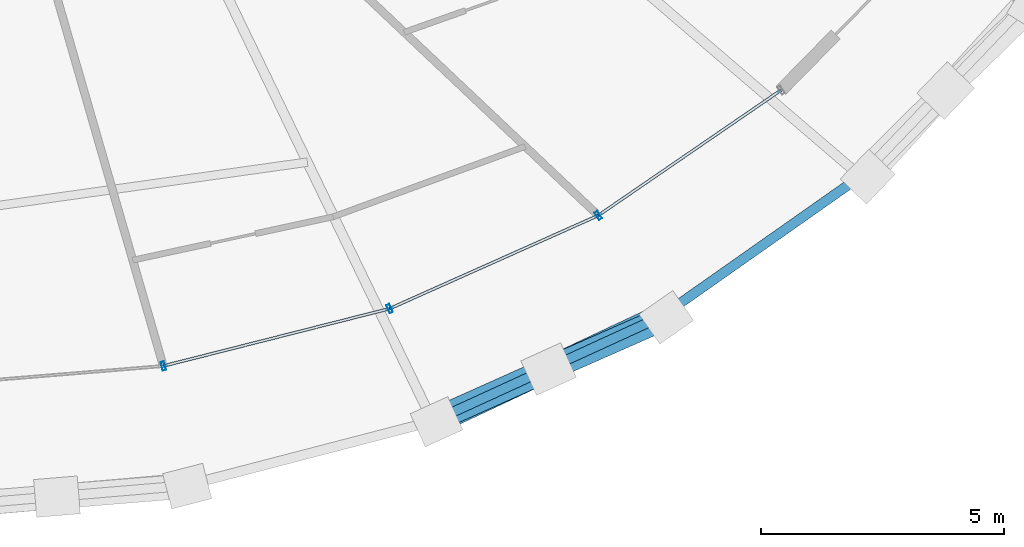
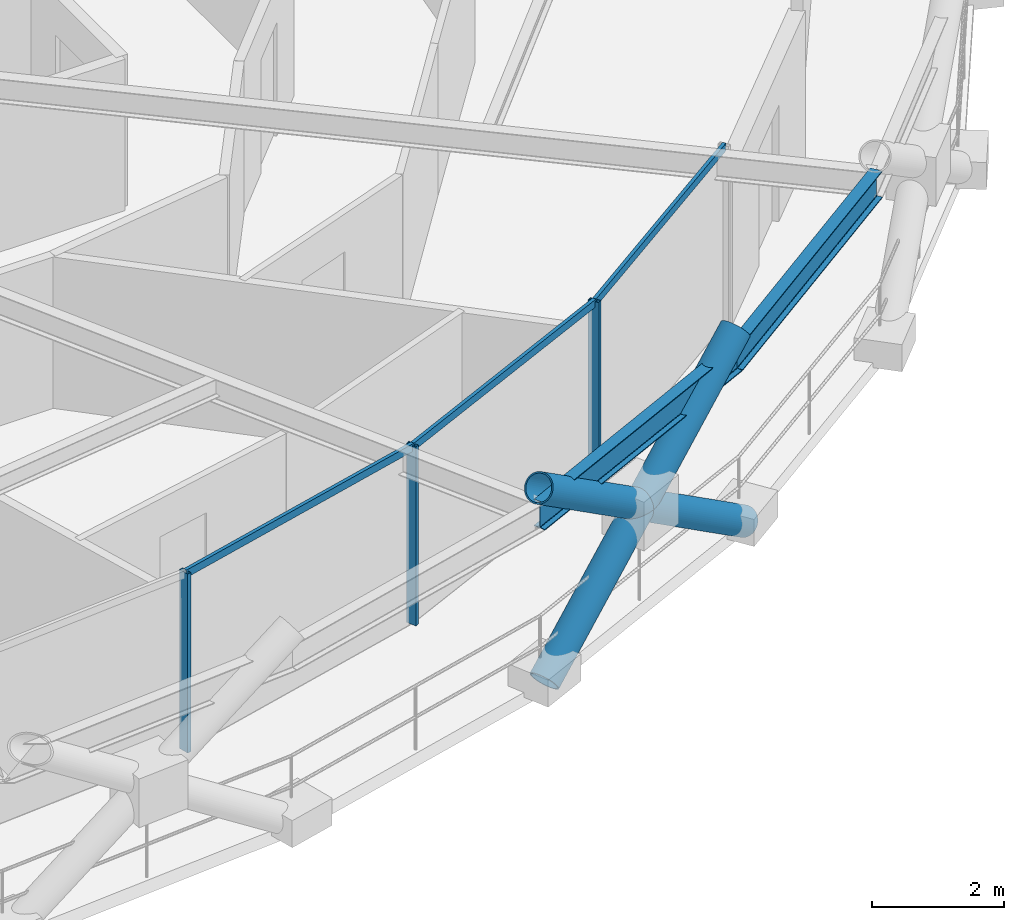
# One storey, part 4 of 16: 9 members, 2 beams, 1 element without a shape of its own.
"""IFC4 building model written with IfcOpenShell, lengths in metres."""

from ifc_helpers import new_model, si_unit, direction, frame, origin, origin_2d, place, context, subcontext, project, spatial, hollow_rectangle, hollow_circle, i_section, extrude, material, layer, layer_set, material_profile, profile_set, type_object, element, aggregate, save


model = new_model("IFC4")

# Units and contexts
model_context = context("Model", 3, precision=1e-05, world=origin(), true_north=direction((0.0, 1.0)))
body_context = subcontext(model_context, "Body", "Model", "MODEL_VIEW")
ifc_project = project(units=[si_unit("LENGTHUNIT", "METRE"), si_unit("AREAUNIT", "SQUARE_METRE"), si_unit("VOLUMEUNIT", "CUBIC_METRE"), si_unit("PLANEANGLEUNIT", "RADIAN"), si_unit("MASSUNIT", "GRAM", prefix="KILO")], contexts=[model_context])

# Site, building, storey
site_placement = place(None, origin())
site = spatial("IfcSite", under=ifc_project, at=site_placement, CompositionType="ELEMENT")
building_placement = place(site_placement, origin())
building = spatial("IfcBuilding", under=site, at=building_placement, Name="Veldorina Hangang Commons", CompositionType="ELEMENT")
storey_placement = place(building_placement, frame((0.0, 0.0, 185.60009765625)))
storey = spatial("IfcBuildingStorey", under=building, at=storey_placement, Name="L48", CompositionType="ELEMENT", Elevation=185.60009765625)

# Beams
ifc_material_1 = material(Name="Steel SM420-TMC", Category="steel")
ifc_material_profile_1 = material_profile(ifc_material_1, i_section(OverallWidth=0.199951171875, OverallDepth=0.5, WebThickness=0.010009765625, FlangeThickness=0.01611328125, FilletRadius=0.01611328125, at=origin_2d()), Name="H-500x200x10x16")
ifc_profile_set_1 = profile_set([ifc_material_profile_1], Name="Steel SM420-TMC")
beam_type = type_object("IfcBeamType", Name="BM-RB500", PredefinedType="BEAM", material=ifc_profile_set_1)
beam_1_placement = place(storey_placement, frame((42.385009765625, 2.516845703125, 3.099853515625), z_axis=(0.90916857944, 0.416428258117, 0.0), x_axis=(-0.416428258117, 0.90916857944, 0.0)))
element("IfcBeam", 1, at=beam_1_placement, inside=storey, type_object=beam_type, Name="L48 perimeter hoop ring beam 26", PredefinedType="BEAM", context=body_context, shape_type="SweptSolid", body=[
    extrude(i_section(OverallWidth=0.199951171875, OverallDepth=0.5, WebThickness=0.010009765625, FlangeThickness=0.01611328125, FilletRadius=0.01611328125, at=origin_2d()), origin(), (0.0, 0.0, 1.0), 5.160400390625),
])
beam_2_placement = place(storey_placement, frame((47.07666015625, 4.665771484375, 3.099853515625), z_axis=(0.817993454631, 0.575227527315, 0.0), x_axis=(-0.575227527315, 0.817993454631, 0.0)))
element("IfcBeam", 2, at=beam_2_placement, inside=storey, type_object=beam_type, Name="L48 perimeter hoop ring beam 27", PredefinedType="BEAM", context=body_context, shape_type="SweptSolid", body=[
    extrude(i_section(OverallWidth=0.199951171875, OverallDepth=0.5, WebThickness=0.010009765625, FlangeThickness=0.01611328125, FilletRadius=0.01611328125, at=origin_2d()), origin(), (0.0, 0.0, 1.0), 5.02734375),
])

# Curtain wall, members
ifc_material_2 = material(Name="Glass Low-E Triple IGU", Category="glass")
ifc_layer = layer(ifc_material_2, 0.179931640625)
ifc_layer_set = layer_set([ifc_layer], Name="Glass Low-E Triple IGU")
curtain_wall_type = type_object("IfcCurtainWallType", Name="CW-SYS-Z2", PredefinedType="NOTDEFINED", material=ifc_layer_set)
curtain_wall_placement = place(storey_placement, origin())
curtain_wall = element("IfcCurtainWall", 3, at=curtain_wall_placement, inside=storey, type_object=curtain_wall_type, Name="L48 unitised curtain wall CW-L48-R1", PredefinedType="NOTDEFINED")
ifc_material_3 = material(Name="Aluminium Anodized AA6063-T6", Category="aluminium")
ifc_material_profile_2 = material_profile(ifc_material_3, hollow_rectangle(XDim=0.070068359375, YDim=0.179931640625, WallThickness=0.00390625, at=origin_2d()), Name="ALU-RHS-180x70x4")
ifc_profile_set_2 = profile_set([ifc_material_profile_2], Name="Aluminium Anodized AA6063-T6")
member_type_1 = type_object("IfcMemberType", Name="CW-MUL-180", PredefinedType="MULLION", material=ifc_profile_set_2)
member_1_placement = place(storey_placement, frame((36.8427734375, 3.655029296875, 0.0), z_axis=(0.0, 0.0, 1.0), x_axis=(0.969342510731, 0.245713444665, 0.0)))
member_1 = element("IfcMember", 4, at=member_1_placement, type_object=member_type_1, Name="CW-L48-R1 vertical mullion 2", PredefinedType="MULLION", context=body_context, shape_type="SweptSolid", body=[
    extrude(hollow_rectangle(XDim=0.070068359375, YDim=0.179931640625, WallThickness=0.00390625, at=origin_2d()), origin(), (0.0, 0.0, 1.0), 3.309814453125),
])
member_2_placement = place(storey_placement, frame((41.49951171875, 4.83544921875, 0.0), z_axis=(0.0, 0.0, 1.0), x_axis=(0.913054971652, 0.407836509819, 0.0)))
member_2 = element("IfcMember", 5, at=member_2_placement, type_object=member_type_1, Name="CW-L48-R1 vertical mullion 3", PredefinedType="MULLION", context=body_context, shape_type="SweptSolid", body=[
    extrude(hollow_rectangle(XDim=0.070068359375, YDim=0.179931640625, WallThickness=0.00390625, at=origin_2d()), origin(), (0.0, 0.0, 1.0), 3.309814453125),
])
member_3_placement = place(storey_placement, frame((45.791015625, 6.752197265625, 0.0), z_axis=(0.0, 0.0, 1.0), x_axis=(0.824689262973, 0.565586084993, 0.0)))
member_3 = element("IfcMember", 6, at=member_3_placement, type_object=member_type_1, Name="CW-L48-R1 vertical mullion 4", PredefinedType="MULLION", context=body_context, shape_type="SweptSolid", body=[
    extrude(hollow_rectangle(XDim=0.070068359375, YDim=0.179931640625, WallThickness=0.00390625, at=origin_2d()), origin(), (0.0, 0.0, 1.0), 3.309814453125),
])
ifc_material_profile_3 = material_profile(ifc_material_3, hollow_rectangle(XDim=0.06005859375, YDim=0.139892578125, WallThickness=0.00341796875, at=origin_2d()), Name="ALU-RHS-140x60x3.5")
ifc_profile_set_3 = profile_set([ifc_material_profile_3], Name="Aluminium Anodized AA6063-T6")
member_type_2 = type_object("IfcMemberType", Name="CW-TRN-140", PredefinedType="USERDEFINED", material=ifc_profile_set_3)
member_4_placement = place(storey_placement, frame((36.8427734375, 3.655029296875, 3.27001953125), z_axis=(0.969342101202, 0.245715060256, 0.0), x_axis=(-0.245715060256, 0.969342101202, 0.0)))
member_4 = element("IfcMember", 7, at=member_4_placement, type_object=member_type_2, Name="CW-L48-R1 facet 2 transom 1", ObjectType="TRANSOM", PredefinedType="USERDEFINED", context=body_context, shape_type="SweptSolid", body=[
    extrude(hollow_rectangle(XDim=0.06005859375, YDim=0.139892578125, WallThickness=0.00341796875, at=origin_2d()), origin(), (0.0, 0.0, 1.0), 4.803955078125),
])
member_5_placement = place(storey_placement, frame((41.49951171875, 4.83544921875, 3.27001953125), z_axis=(0.913066741134, 0.407810159554, 0.0), x_axis=(-0.407810159554, 0.913066741134, 0.0)))
member_5 = element("IfcMember", 8, at=member_5_placement, type_object=member_type_2, Name="CW-L48-R1 facet 3 transom 1", ObjectType="TRANSOM", PredefinedType="USERDEFINED", context=body_context, shape_type="SweptSolid", body=[
    extrude(hollow_rectangle(XDim=0.06005859375, YDim=0.139892578125, WallThickness=0.00341796875, at=origin_2d()), origin(), (0.0, 0.0, 1.0), 4.7001953125),
])
member_6_placement = place(storey_placement, frame((45.791015625, 6.752197265625, 3.27001953125), z_axis=(0.824691047687, 0.565583482666, 0.0), x_axis=(-0.565583482666, 0.824691047687, 0.0)))
member_6 = element("IfcMember", 9, at=member_6_placement, type_object=member_type_2, Name="CW-L48-R1 facet 4 transom 1", ObjectType="TRANSOM", PredefinedType="USERDEFINED", context=body_context, shape_type="SweptSolid", body=[
    extrude(hollow_rectangle(XDim=0.06005859375, YDim=0.139892578125, WallThickness=0.00341796875, at=origin_2d()), origin(), (0.0, 0.0, 1.0), 4.561279296875),
])
aggregate(curtain_wall, [member_1, member_2, member_3, member_4, member_5, member_6])

# Members
ifc_material_profile_4 = material_profile(ifc_material_1, hollow_circle(Radius=0.25, WallThickness=0.02490234375, at=origin_2d()), Name="CHS-500x25")
ifc_profile_set_4 = profile_set([ifc_material_profile_4], Name="Steel SM420-TMC")
member_type_3 = type_object("IfcMemberType", Name="DG-CHS500", PredefinedType="BRACE", material=ifc_profile_set_4)
member_7_placement = place(storey_placement, frame((42.4638671875, 2.507080078125, 0.0), z_axis=(0.738215381683, 0.347060871599, 0.578434785998), x_axis=(-0.425461187327, 0.904976672671, 0.0)))
element("IfcMember", 10, at=member_7_placement, inside=storey, type_object=member_type_3, Name="L48 continuous perimeter diagrid brace 26", PredefinedType="BRACE", context=body_context, shape_type="SweptSolid", body=[
    extrude(hollow_circle(Radius=0.25, WallThickness=0.02490234375, at=origin_2d()), origin(), (0.0, 0.0, 1.0), 6.223388671875),
])
member_8_placement = place(storey_placement, frame((47.191162109375, 4.656982421875, 0.0), z_axis=(-0.755891111577, -0.332717067562, 0.563851026773), x_axis=(0.402865393474, -0.915259239091, 0.0)))
element("IfcMember", 11, at=member_8_placement, inside=storey, type_object=member_type_3, Name="L48 split perimeter diagrid lower brace 27", PredefinedType="BRACE", context=body_context, shape_type="SweptSolid", body=[
    extrude(hollow_circle(Radius=0.25, WallThickness=0.02490234375, at=origin_2d()), origin(), (0.0, 0.0, 1.0), 3.20361328125),
])
member_9_placement = place(storey_placement, frame((44.76953125, 3.591064453125, 1.806396484375), z_axis=(-0.753784461436, -0.337318354573, 0.563937331063), x_axis=(0.40846593724, -0.91277356344, 0.0)))
element("IfcMember", 12, at=member_9_placement, inside=storey, type_object=member_type_3, Name="L48 split perimeter diagrid upper brace 27", PredefinedType="BRACE", context=body_context, shape_type="SweptSolid", body=[
    extrude(hollow_circle(Radius=0.25, WallThickness=0.02490234375, at=origin_2d()), origin(), (0.0, 0.0, 1.0), 3.18017578125),
])

save(model, "model.ifc")
